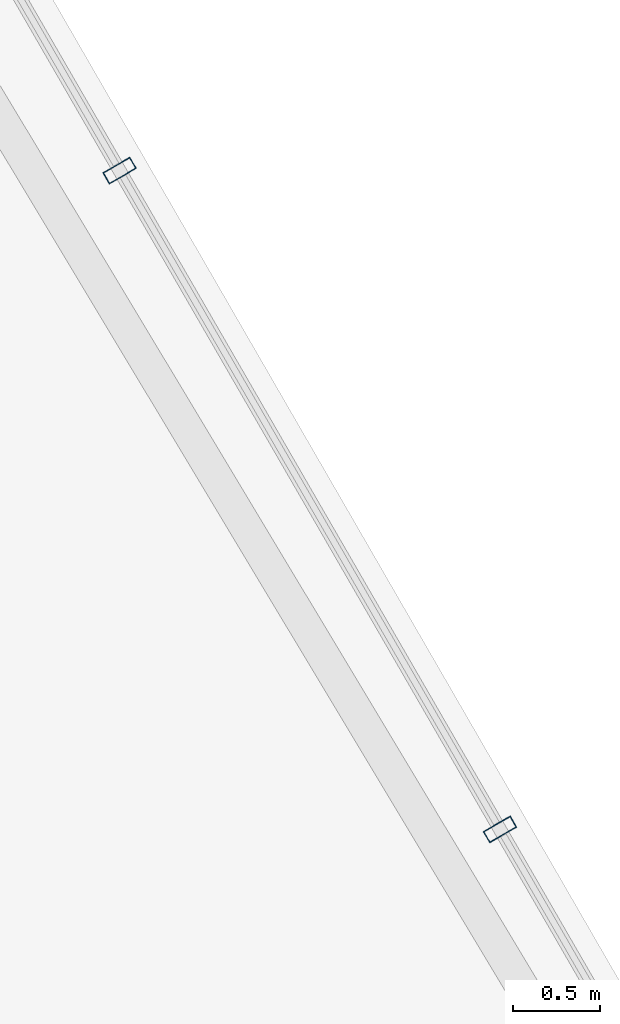
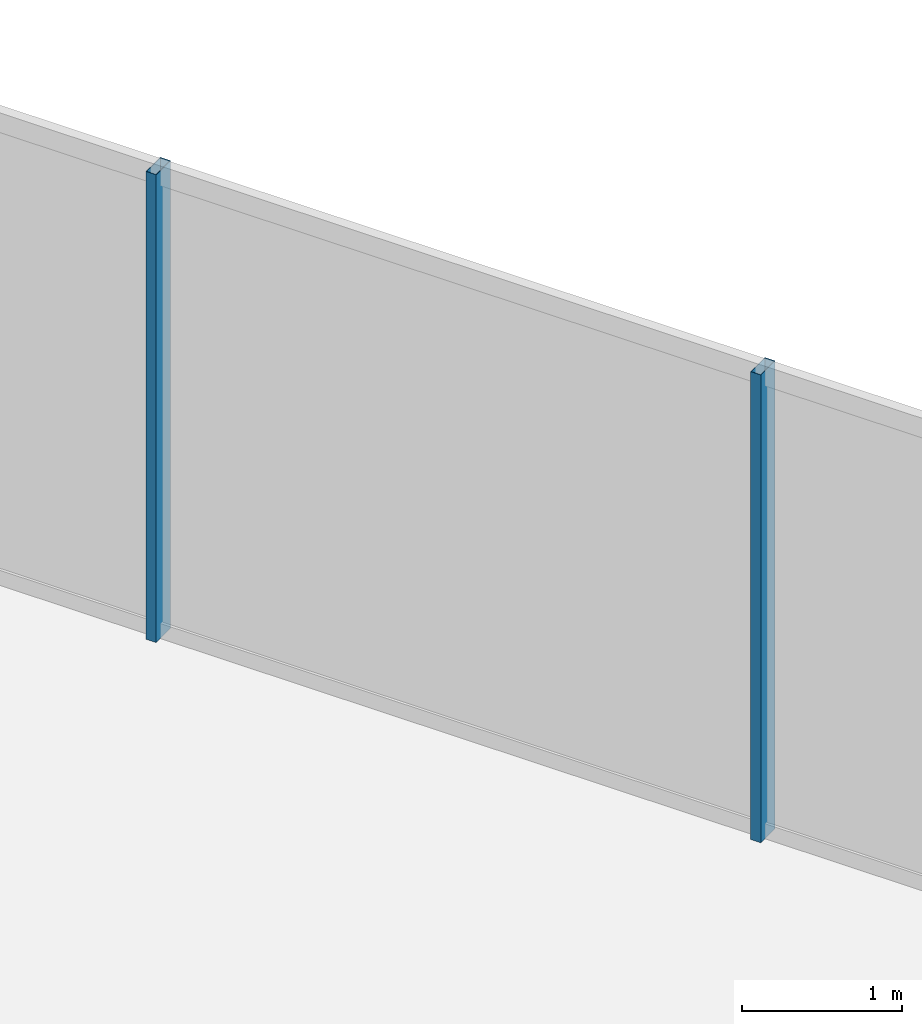
# One storey, part 19 of 29: 2 members, 1 element without a shape of its own.
"""IFC4 building model written with IfcOpenShell, lengths in metres."""

from ifc_helpers import new_model, si_unit, direction, frame, origin, origin_2d, place, context, subcontext, project, spatial, hollow_rectangle, extrude, material, layer, layer_set, material_profile, profile_set, type_object, element, aggregate, save


model = new_model("IFC4")

# Units and contexts
model_context = context("Model", 3, precision=1e-05, world=origin(), true_north=direction((0.0, 1.0)))
body_context = subcontext(model_context, "Body", "Model", "MODEL_VIEW")
ifc_project = project(units=[si_unit("LENGTHUNIT", "METRE"), si_unit("AREAUNIT", "SQUARE_METRE"), si_unit("VOLUMEUNIT", "CUBIC_METRE"), si_unit("PLANEANGLEUNIT", "RADIAN"), si_unit("MASSUNIT", "GRAM", prefix="KILO")], contexts=[model_context])

# Site, building, storey
site_placement = place(None, origin())
site = spatial("IfcSite", under=ifc_project, at=site_placement, CompositionType="ELEMENT")
building_placement = place(site_placement, origin())
building = spatial("IfcBuilding", under=site, at=building_placement, Name="Ndaravel Arena Tower", CompositionType="ELEMENT")
storey_placement = place(building_placement, frame((0.0, 0.0, 244.60009765625)))
storey = spatial("IfcBuildingStorey", under=building, at=storey_placement, Name="L59", CompositionType="ELEMENT", Elevation=244.60009765625)

# Curtain wall, members
ifc_material_1 = material(Name="Aluminium", Category="aluminium")
ifc_layer = layer(ifc_material_1, 0.179931640625)
ifc_layer_set = layer_set([ifc_layer], Name="Aluminium")
curtain_wall_type = type_object("IfcCurtainWallType", Name="CW-SYS-03", PredefinedType="NOTDEFINED", material=ifc_layer_set)
curtain_wall_placement = place(storey_placement, origin())
curtain_wall = element("IfcCurtainWall", 1, at=curtain_wall_placement, inside=storey, type_object=curtain_wall_type, Name="L59 Faceted Crystal Curtain Wall CW-L59-E03", PredefinedType="NOTDEFINED")
ifc_material_2 = material(Name="Aluminium", Category="aluminium")
ifc_material_profile = material_profile(ifc_material_2, hollow_rectangle(XDim=0.074951171875, YDim=0.179931640625, WallThickness=0.00390625, at=origin_2d()), Name="CW MULLION 75x180x4")
ifc_profile_set = profile_set([ifc_material_profile], Name="Aluminium")
member_type = type_object("IfcMemberType", Name="MEM-CW-MUL180", PredefinedType="MULLION", material=ifc_profile_set)
member_1_placement = place(storey_placement, frame((54.0556640625, 29.830810546875, 0.0), z_axis=(0.0, 0.0, 1.0), x_axis=(-0.5, 0.866025403784, 0.0)))
member_1 = element("IfcMember", 2, at=member_1_placement, type_object=member_type, Name="CW-L59-E03 Mullion 05", PredefinedType="MULLION", context=body_context, shape_type="SweptSolid", body=[
    extrude(hollow_rectangle(XDim=0.074951171875, YDim=0.179931640625, WallThickness=0.00390625, at=origin_2d()), origin(), (0.0, 0.0, 1.0), 3.579833984375),
])
member_2_placement = place(storey_placement, frame((51.86767578125, 33.620361328125, 0.0), z_axis=(0.0, 0.0, 1.0), x_axis=(-0.5, 0.866025403784, 0.0)))
member_2 = element("IfcMember", 3, at=member_2_placement, type_object=member_type, Name="CW-L59-E03 Mullion 06", PredefinedType="MULLION", context=body_context, shape_type="SweptSolid", body=[
    extrude(hollow_rectangle(XDim=0.074951171875, YDim=0.179931640625, WallThickness=0.00390625, at=origin_2d()), origin(), (0.0, 0.0, 1.0), 3.579833984375),
])
aggregate(curtain_wall, [member_1, member_2])

save(model, "model.ifc")
